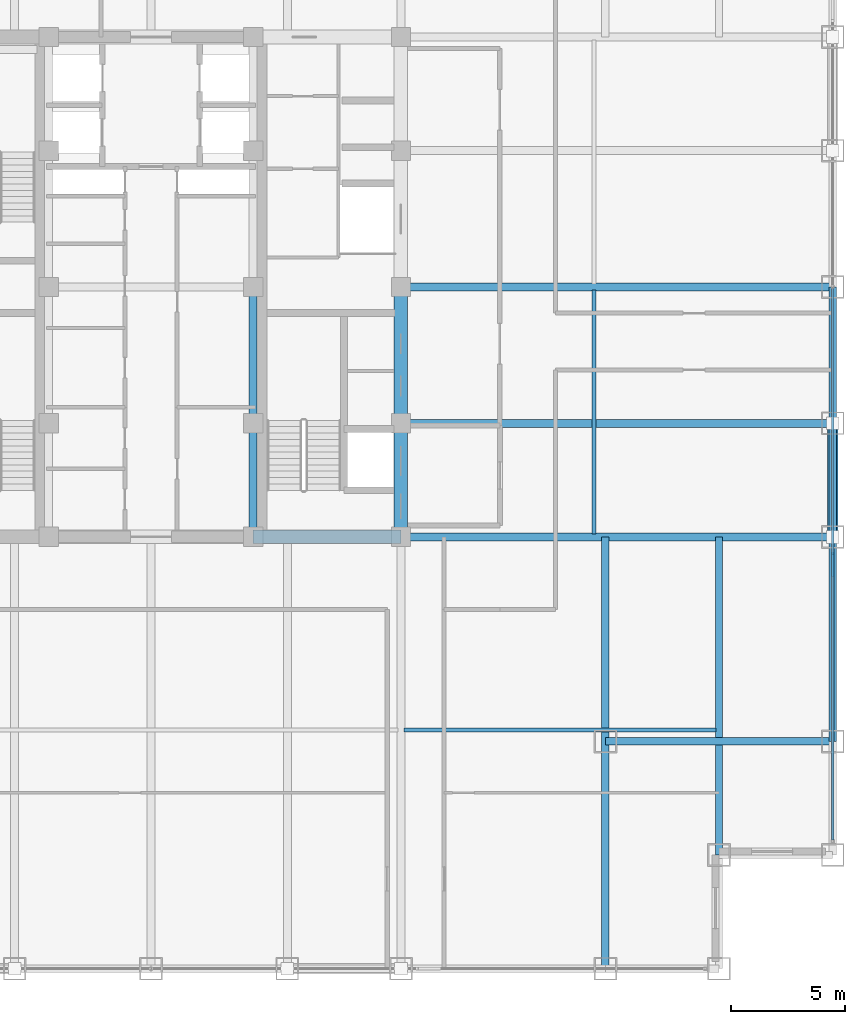
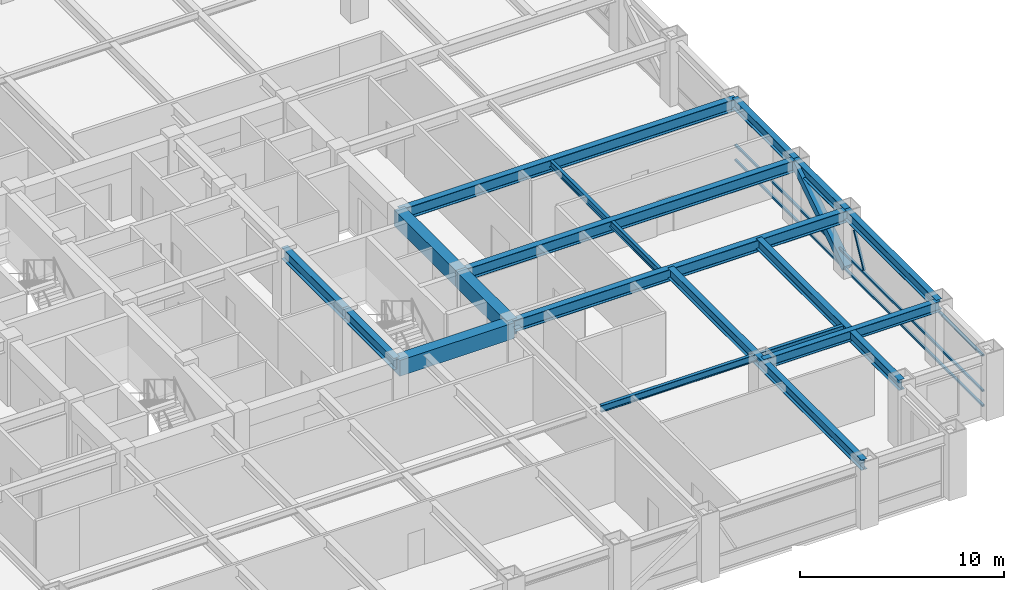
# One storey, part 9 of 24: 16 beams, 5 members, 1 element without a shape of its own.
"""IFC4 building model written with IfcOpenShell, lengths in metres."""

from ifc_helpers import new_model, si_unit, direction, frame, origin, origin_2d, place, context, subcontext, project, spatial, rectangle, hollow_rectangle, i_section, extrude, source, transform, mapped, material, material_profile, profile_set, type_object, element, aggregate, save


model = new_model("IFC4")

# Units and contexts
model_context = context("Model", 3, precision=1e-05, world=origin(), true_north=direction((0.0, 1.0)))
body_context = subcontext(model_context, "Body", "Model", "MODEL_VIEW")
ifc_project = project(units=[si_unit("LENGTHUNIT", "METRE"), si_unit("AREAUNIT", "SQUARE_METRE"), si_unit("VOLUMEUNIT", "CUBIC_METRE"), si_unit("PLANEANGLEUNIT", "RADIAN"), si_unit("MASSUNIT", "GRAM", prefix="KILO")], contexts=[model_context])

# Site, building, storey
site_placement = place(None, origin())
site = spatial("IfcSite", under=ifc_project, at=site_placement, CompositionType="ELEMENT")
building_placement = place(site_placement, origin())
building = spatial("IfcBuilding", under=site, at=building_placement, Name="Khorayat Bourse Tower", CompositionType="ELEMENT")
storey_placement = place(building_placement, frame((0.0, 0.0, 259.10009765625)))
storey = spatial("IfcBuildingStorey", under=building, at=storey_placement, Name="L61", CompositionType="ELEMENT", Elevation=259.10009765625)

# Beams
ifc_material_1 = material(Name="Steel ASTM A992 Grade 50", Category="steel")
ifc_material_profile_1 = material_profile(ifc_material_1, i_section(OverallWidth=0.35498046875, OverallDepth=0.695068359375, WebThickness=0.015380859375, FlangeThickness=0.02490234375, FilletRadius=0.01806640625, at=origin_2d()), Name="W690X217")
ifc_profile_set_1 = profile_set([ifc_material_profile_1], Name="Steel ASTM A992 Grade 50")
beam_type_1 = type_object("IfcBeamType", Name="BM-GIRD-690", PredefinedType="BEAM", material=ifc_profile_set_1)
shared_shape_1 = source(origin(), body_context, "Body", "SweptSolid", [
    extrude(i_section(OverallWidth=0.35498046875, OverallDepth=0.695068359375, WebThickness=0.015380859375, FlangeThickness=0.02490234375, FilletRadius=0.01806640625, at=origin_2d()), origin(), (0.0, 0.0, 1.0), 5.0),
])
beam_1_placement = place(storey_placement, frame((4.5, -11.0, 3.432373046875), z_axis=(0.0, 1.0, 0.0), x_axis=(-1.0, 0.0, 0.0)))
element("IfcBeam", 1, at=beam_1_placement, inside=storey, type_object=beam_type_1, Name="L61 BM-GIRD-690 BM-L61-CRX-09", PredefinedType="BEAM", context=body_context, shape_type="MappedRepresentation", body=[
    mapped(shared_shape_1, transform((0.0, 0.0, 0.0), scale=1.0)),
])
shared_shape_2 = source(origin(), body_context, "Body", "SweptSolid", [
    extrude(i_section(OverallWidth=0.35498046875, OverallDepth=0.695068359375, WebThickness=0.015380859375, FlangeThickness=0.02490234375, FilletRadius=0.01806640625, at=origin_2d()), origin(), (0.0, 0.0, 1.0), 6.0),
])
beam_2_placement = place(storey_placement, frame((4.5, -6.0, 3.432373046875), z_axis=(0.0, 1.0, 0.0), x_axis=(-1.0, 0.0, 0.0)))
element("IfcBeam", 2, at=beam_2_placement, inside=storey, type_object=beam_type_1, Name="L61 BM-GIRD-690 BM-L61-CRX-10", PredefinedType="BEAM", context=body_context, shape_type="MappedRepresentation", body=[
    mapped(shared_shape_2, transform((0.0, 0.0, 0.0), scale=1.0)),
])
ifc_material_profile_2 = material_profile(ifc_material_1, i_section(OverallWidth=0.324951171875, OverallDepth=0.615966796875, WebThickness=0.013916015625, FlangeThickness=0.021484375, FilletRadius=0.01611328125, at=origin_2d()), Name="W610X174")
ifc_profile_set_2 = profile_set([ifc_material_profile_2], Name="Steel ASTM A992 Grade 50")
beam_type_2 = type_object("IfcBeamType", Name="BM-GIRD-610", PredefinedType="BEAM", material=ifc_profile_set_2)
shared_shape_3 = source(origin(), body_context, "Body", "SweptSolid", [
    extrude(i_section(OverallWidth=0.324951171875, OverallDepth=0.615966796875, WebThickness=0.013916015625, FlangeThickness=0.021484375, FilletRadius=0.01611328125, at=origin_2d()), origin(), (0.0, 0.0, 1.0), 19.0),
])
beam_3_placement = place(storey_placement, frame((20.0, -30.0, 3.471923828125), z_axis=(0.0, 1.0, 0.0), x_axis=(-1.0, 0.0, 0.0)))
element("IfcBeam", 3, at=beam_3_placement, inside=storey, type_object=beam_type_2, Name="L61 BM-GIRD-610 BM-L61-CNRY-086", PredefinedType="BEAM", context=body_context, shape_type="MappedRepresentation", body=[
    mapped(shared_shape_3, transform((0.0, 0.0, 0.0), scale=1.0)),
])
shared_shape_4 = source(origin(), body_context, "Body", "SweptSolid", [
    extrude(i_section(OverallWidth=0.324951171875, OverallDepth=0.615966796875, WebThickness=0.013916015625, FlangeThickness=0.021484375, FilletRadius=0.01611328125, at=origin_2d()), origin(), (0.0, 0.0, 1.0), 10.0),
])
beam_4_placement = place(storey_placement, frame((20.0, -20.0, 3.471923828125), z_axis=(1.0, 0.0, 0.0), x_axis=(0.0, 1.0, 0.0)))
element("IfcBeam", 4, at=beam_4_placement, inside=storey, type_object=beam_type_2, Name="L61 BM-GIRD-610 BM-L61-CNRX-092", PredefinedType="BEAM", context=body_context, shape_type="MappedRepresentation", body=[
    mapped(shared_shape_4, transform((0.0, 0.0, 0.0), scale=1.0)),
])
ifc_material_profile_3 = material_profile(ifc_material_1, i_section(OverallWidth=0.180908203125, OverallDepth=0.4169921875, WebThickness=0.010986328125, FlangeThickness=0.018310546875, FilletRadius=0.011962890625, at=origin_2d()), Name="W410X85")
ifc_profile_set_3 = profile_set([ifc_material_profile_3], Name="Steel ASTM A992 Grade 50")
beam_type_3 = type_object("IfcBeamType", Name="BM-JOIST-410", PredefinedType="JOIST", material=ifc_profile_set_3)
shared_shape_5 = source(origin(), body_context, "Body", "SweptSolid", [
    extrude(i_section(OverallWidth=0.180908203125, OverallDepth=0.4169921875, WebThickness=0.010986328125, FlangeThickness=0.018310546875, FilletRadius=0.011962890625, at=origin_2d()), origin(), (0.0, 0.0, 1.0), 10.740234375),
])
beam_5_placement = place(storey_placement, frame((19.5, -10.8701171875, 3.5712890625), z_axis=(0.0, 1.0, 0.0), x_axis=(-1.0, 0.0, 0.0)))
element("IfcBeam", 5, at=beam_5_placement, inside=storey, type_object=beam_type_3, Name="L61 BM-JOIST-410 BM-L61-JSTY-104", PredefinedType="JOIST", context=body_context, shape_type="MappedRepresentation", body=[
    mapped(shared_shape_5, transform((0.0, 0.0, 0.0), scale=1.0)),
])
ifc_material_profile_4 = material_profile(ifc_material_1, i_section(OverallWidth=0.324951171875, OverallDepth=0.615966796875, WebThickness=0.013916015625, FlangeThickness=0.021484375, FilletRadius=0.01611328125, at=origin_2d()), Name="W610X174")
ifc_profile_set_4 = profile_set([ifc_material_profile_4], Name="Steel ASTM A992 Grade 50")
beam_type_4 = type_object("IfcBeamType", Name="BM-SPAN-610", PredefinedType="SPANDREL", material=ifc_profile_set_4)
shared_shape_6 = source(origin(), body_context, "Body", "SweptSolid", [
    extrude(i_section(OverallWidth=0.324951171875, OverallDepth=0.615966796875, WebThickness=0.013916015625, FlangeThickness=0.021484375, FilletRadius=0.01611328125, at=origin_2d()), origin(), (0.0, 0.0, 1.0), 9.0),
])
beam_6_placement = place(storey_placement, frame((30.0, -20.0, 3.471923828125), z_axis=(0.0, 1.0, 0.0), x_axis=(-1.0, 0.0, 0.0)))
element("IfcBeam", 6, at=beam_6_placement, inside=storey, type_object=beam_type_4, Name="L61 BM-SPAN-610 BM-L61-SPN-035", PredefinedType="SPANDREL", context=body_context, shape_type="MappedRepresentation", body=[
    mapped(shared_shape_6, transform((0.0, 0.0, 0.0), scale=1.0)),
])
shared_shape_7 = source(origin(), body_context, "Body", "SweptSolid", [
    extrude(i_section(OverallWidth=0.324951171875, OverallDepth=0.615966796875, WebThickness=0.013916015625, FlangeThickness=0.021484375, FilletRadius=0.01611328125, at=origin_2d()), origin(), (0.0, 0.0, 1.0), 5.0),
])
beam_7_placement = place(storey_placement, frame((30.0, -11.0, 3.471923828125), z_axis=(0.0, 1.0, 0.0), x_axis=(-1.0, 0.0, 0.0)))
element("IfcBeam", 7, at=beam_7_placement, inside=storey, type_object=beam_type_4, Name="L61 BM-SPAN-610 BM-L61-SPN-036", PredefinedType="SPANDREL", context=body_context, shape_type="MappedRepresentation", body=[
    mapped(shared_shape_7, transform((0.0, 0.0, 0.0), scale=1.0)),
])
shared_shape_8 = source(origin(), body_context, "Body", "SweptSolid", [
    extrude(i_section(OverallWidth=0.324951171875, OverallDepth=0.615966796875, WebThickness=0.013916015625, FlangeThickness=0.021484375, FilletRadius=0.01611328125, at=origin_2d()), origin(), (0.0, 0.0, 1.0), 6.0),
])
beam_8_placement = place(storey_placement, frame((30.0, -6.0, 3.471923828125), z_axis=(0.0, 1.0, 0.0), x_axis=(-1.0, 0.0, 0.0)))
element("IfcBeam", 8, at=beam_8_placement, inside=storey, type_object=beam_type_4, Name="L61 BM-SPAN-610 BM-L61-SPN-037", PredefinedType="SPANDREL", context=body_context, shape_type="MappedRepresentation", body=[
    mapped(shared_shape_8, transform((0.0, 0.0, 0.0), scale=1.0)),
])
ifc_material_2 = material(Name="Concrete C60/75", Category="concrete")
ifc_material_profile_5 = material_profile(ifc_material_2, rectangle(XDim=0.60009765625, YDim=0.949951171875, at=origin_2d()), Name="RC 600x950")
ifc_profile_set_5 = profile_set([ifc_material_profile_5], Name="Concrete C60/75")
beam_type_5 = type_object("IfcBeamType", Name="BM-COUP-950", PredefinedType="BEAM", material=ifc_profile_set_5)
shared_shape_9 = source(origin(), body_context, "Body", "SweptSolid", [
    extrude(rectangle(XDim=0.60009765625, YDim=0.949951171875, at=origin_2d()), origin(), (0.0, 0.0, 1.0), 5.0),
])
beam_9_placement = place(storey_placement, frame((11.0, -11.0, 3.304931640625), z_axis=(0.0, 1.0, 0.0), x_axis=(-1.0, 0.0, 0.0)))
element("IfcBeam", 9, at=beam_9_placement, inside=storey, type_object=beam_type_5, Name="L61 BM-COUP-950 BM-L61-CRX-13", PredefinedType="BEAM", context=body_context, shape_type="MappedRepresentation", body=[
    mapped(shared_shape_9, transform((0.0, 0.0, 0.0), scale=1.0)),
])
shared_shape_10 = source(origin(), body_context, "Body", "SweptSolid", [
    extrude(rectangle(XDim=0.60009765625, YDim=0.949951171875, at=origin_2d()), origin(), (0.0, 0.0, 1.0), 6.0),
])
beam_10_placement = place(storey_placement, frame((11.0, -6.0, 3.304931640625), z_axis=(0.0, 1.0, 0.0), x_axis=(-1.0, 0.0, 0.0)))
element("IfcBeam", 10, at=beam_10_placement, inside=storey, type_object=beam_type_5, Name="L61 BM-COUP-950 BM-L61-CRX-14", PredefinedType="BEAM", context=body_context, shape_type="MappedRepresentation", body=[
    mapped(shared_shape_10, transform((0.0, 0.0, 0.0), scale=1.0)),
])
shared_shape_11 = source(origin(), body_context, "Body", "SweptSolid", [
    extrude(rectangle(XDim=0.60009765625, YDim=0.949951171875, at=origin_2d()), origin(), (0.0, 0.0, 1.0), 6.5),
])
beam_11_placement = place(storey_placement, frame((4.5, -11.0, 3.304931640625), z_axis=(1.0, 0.0, 0.0), x_axis=(0.0, 1.0, 0.0)))
element("IfcBeam", 11, at=beam_11_placement, inside=storey, type_object=beam_type_5, Name="L61 BM-COUP-950 BM-L61-CRY-19", PredefinedType="BEAM", context=body_context, shape_type="MappedRepresentation", body=[
    mapped(shared_shape_11, transform((0.0, 0.0, 0.0), scale=1.0)),
])
shared_shape_12 = source(origin(), body_context, "Body", "SweptSolid", [
    extrude(i_section(OverallWidth=0.35498046875, OverallDepth=0.695068359375, WebThickness=0.015380859375, FlangeThickness=0.02490234375, FilletRadius=0.01806640625, at=origin_2d()), origin(), (0.0, 0.0, 1.0), 19.0),
])
for number, where, z_axis, x_axis, name in (
    (12, (11.0, -11.0, 3.432373046875), (1.0, 0.0, 0.0), (0.0, 1.0, 0.0), "L61 BM-GIRD-690 BM-L61-RADX-074"),
    (13, (11.0, -6.0, 3.432373046875), (1.0, 0.0, 0.0), (0.0, 1.0, 0.0), "L61 BM-GIRD-690 BM-L61-RADX-076"),
    (14, (11.0, 0.0, 3.432373046875), (1.0, 0.0, 0.0), (0.0, 1.0, 0.0), "L61 BM-GIRD-690 BM-L61-RADX-078"),
):
    element("IfcBeam", number, at=place(storey_placement, frame(where, z_axis=z_axis, x_axis=x_axis)), inside=storey, type_object=beam_type_1, Name=name, PredefinedType="BEAM", context=body_context, shape_type="MappedRepresentation", body=[
        mapped(shared_shape_12, transform((0.0, 0.0, 0.0), scale=1.0)),
    ])
shared_shape_13 = source(origin(), body_context, "Body", "SweptSolid", [
    extrude(i_section(OverallWidth=0.324951171875, OverallDepth=0.615966796875, WebThickness=0.013916015625, FlangeThickness=0.021484375, FilletRadius=0.01611328125, at=origin_2d()), origin(), (0.0, 0.0, 1.0), 14.0),
])
beam_12_placement = place(storey_placement, frame((25.0, -25.0, 3.471923828125), z_axis=(0.0, 1.0, 0.0), x_axis=(-1.0, 0.0, 0.0)))
element("IfcBeam", 15, at=beam_12_placement, inside=storey, type_object=beam_type_2, Name="L61 BM-GIRD-610 BM-L61-CNRY-090", PredefinedType="BEAM", context=body_context, shape_type="MappedRepresentation", body=[
    mapped(shared_shape_13, transform((0.0, 0.0, 0.0), scale=1.0)),
])
shared_shape_14 = source(origin(), body_context, "Body", "SweptSolid", [
    extrude(i_section(OverallWidth=0.180908203125, OverallDepth=0.4169921875, WebThickness=0.010986328125, FlangeThickness=0.018310546875, FilletRadius=0.011962890625, at=origin_2d()), origin(), (0.0, 0.0, 1.0), 13.740234375),
])
beam_13_placement = place(storey_placement, frame((11.1298828125, -19.5, 3.5712890625), z_axis=(1.0, 0.0, 0.0), x_axis=(0.0, 1.0, 0.0)))
element("IfcBeam", 16, at=beam_13_placement, inside=storey, type_object=beam_type_3, Name="L61 BM-JOIST-410 BM-L61-JSTX-098", PredefinedType="JOIST", context=body_context, shape_type="MappedRepresentation", body=[
    mapped(shared_shape_14, transform((0.0, 0.0, 0.0), scale=1.0)),
])

# Member
ifc_material_3 = material(Name="Steel EN 10025-4 S460M", Category="steel")
ifc_material_profile_6 = material_profile(ifc_material_3, hollow_rectangle(XDim=0.449951171875, YDim=0.449951171875, WallThickness=0.02490234375, at=origin_2d()), Name="HSS 450x450x25")
ifc_profile_set_6 = profile_set([ifc_material_profile_6], Name="Steel EN 10025-4 S460M")
member_type_1 = type_object("IfcMemberType", Name="MBR-TUBE-450", PredefinedType="BRACE", material=ifc_profile_set_6)
shared_shape_15 = source(origin(), body_context, "Body", "SweptSolid", [
    extrude(hollow_rectangle(XDim=0.449951171875, YDim=0.449951171875, WallThickness=0.02490234375, at=origin_2d()), origin(), (0.0, 0.0, 1.0), 5.979736328125),
])
member_1_placement = place(storey_placement, frame((30.0, -11.0, 0.25), z_axis=(0.0, 0.836160261256, 0.548485202623), x_axis=(-1.0, 0.0, 0.0)))
element("IfcMember", 17, at=member_1_placement, inside=storey, type_object=member_type_1, Name="L61 Perimeter Tube Brace 07", PredefinedType="BRACE", context=body_context, shape_type="MappedRepresentation", body=[
    mapped(shared_shape_15, transform((0.0, 0.0, 0.0), scale=1.0)),
])

# Curtain wall, members
ifc_material_4 = material(Name="Aluminium EN AW-6063 T6", Category="aluminium")
curtain_wall_type = type_object("IfcCurtainWallType", Name="CW-SYS-03", PredefinedType="NOTDEFINED", material=ifc_material_4)
curtain_wall_placement = place(storey_placement, origin())
curtain_wall = element("IfcCurtainWall", 18, at=curtain_wall_placement, inside=storey, type_object=curtain_wall_type, Name="L61 Curtain Wall CW-L61-E1", PredefinedType="NOTDEFINED")
ifc_material_profile_7 = material_profile(ifc_material_4, hollow_rectangle(XDim=0.1201171875, YDim=0.1201171875, WallThickness=0.0048828125, at=origin_2d()), Name="ALU 120x120x5")
ifc_profile_set_7 = profile_set([ifc_material_profile_7], Name="Aluminium EN AW-6063 T6")
member_type_2 = type_object("IfcMemberType", Name="CWM-DIAG-120", PredefinedType="MULLION", material=ifc_profile_set_7)
shared_shape_16 = source(origin(), body_context, "Body", "SweptSolid", [
    extrude(hollow_rectangle(XDim=0.1201171875, YDim=0.1201171875, WallThickness=0.0048828125, at=origin_2d()), origin(), (0.0, 0.0, 1.0), 2.079345703125),
])
member_2_placement = place(storey_placement, frame((30.0, -12.67919921875, 1.08984375), z_axis=(0.0, 0.465760949701, 0.884910581773), x_axis=(-1.0, 0.0, 0.0)))
member_2 = element("IfcMember", 19, at=member_2_placement, type_object=member_type_2, Name="CW-L61-E1 Faceted Diagonal Mullion 1", PredefinedType="MULLION", context=body_context, shape_type="MappedRepresentation", body=[
    mapped(shared_shape_16, transform((0.0, 0.0, 0.0), scale=1.0)),
])
ifc_material_profile_8 = material_profile(ifc_material_4, hollow_rectangle(XDim=0.1201171875, YDim=0.1201171875, WallThickness=0.0048828125, at=origin_2d()), Name="ALU 120x120x5")
ifc_profile_set_8 = profile_set([ifc_material_profile_8], Name="Aluminium EN AW-6063 T6")
member_type_3 = type_object("IfcMemberType", Name="CWT-HORZ-120", PredefinedType="USERDEFINED", material=ifc_profile_set_8)
shared_shape_17 = source(origin(), body_context, "Body", "SweptSolid", [
    extrude(hollow_rectangle(XDim=0.1201171875, YDim=0.1201171875, WallThickness=0.0048828125, at=origin_2d()), origin(), (0.0, 0.0, 1.0), 24.27001953125),
])
member_3_placement = place(storey_placement, frame((30.0, -24.330078125, 0.059814453125), z_axis=(0.0, 1.0, 0.0), x_axis=(-1.0, 0.0, 0.0)))
member_3 = element("IfcMember", 20, at=member_3_placement, type_object=member_type_3, Name="CW-L61-E1 Horizontal Transom 1-1", ObjectType="TRANSOM", PredefinedType="USERDEFINED", context=body_context, shape_type="MappedRepresentation", body=[
    mapped(shared_shape_17, transform((0.0, 0.0, 0.0), scale=1.0)),
])
member_4_placement = place(storey_placement, frame((30.0, -24.330078125, 0.949951171875), z_axis=(0.0, 1.0, 0.0), x_axis=(-1.0, 0.0, 0.0)))
member_4 = element("IfcMember", 21, at=member_4_placement, type_object=member_type_3, Name="CW-L61-E1 Horizontal Transom 1-2", ObjectType="TRANSOM", PredefinedType="USERDEFINED", context=body_context, shape_type="MappedRepresentation", body=[
    mapped(shared_shape_17, transform((0.0, 0.0, 0.0), scale=1.0)),
])
member_5_placement = place(storey_placement, frame((30.0, -24.330078125, 3.06982421875), z_axis=(0.0, 1.0, 0.0), x_axis=(-1.0, 0.0, 0.0)))
member_5 = element("IfcMember", 22, at=member_5_placement, type_object=member_type_3, Name="CW-L61-E1 Horizontal Transom 1-3", ObjectType="TRANSOM", PredefinedType="USERDEFINED", context=body_context, shape_type="MappedRepresentation", body=[
    mapped(shared_shape_17, transform((0.0, 0.0, 0.0), scale=1.0)),
])
aggregate(curtain_wall, [member_3, member_4, member_5, member_2])

save(model, "model.ifc")
